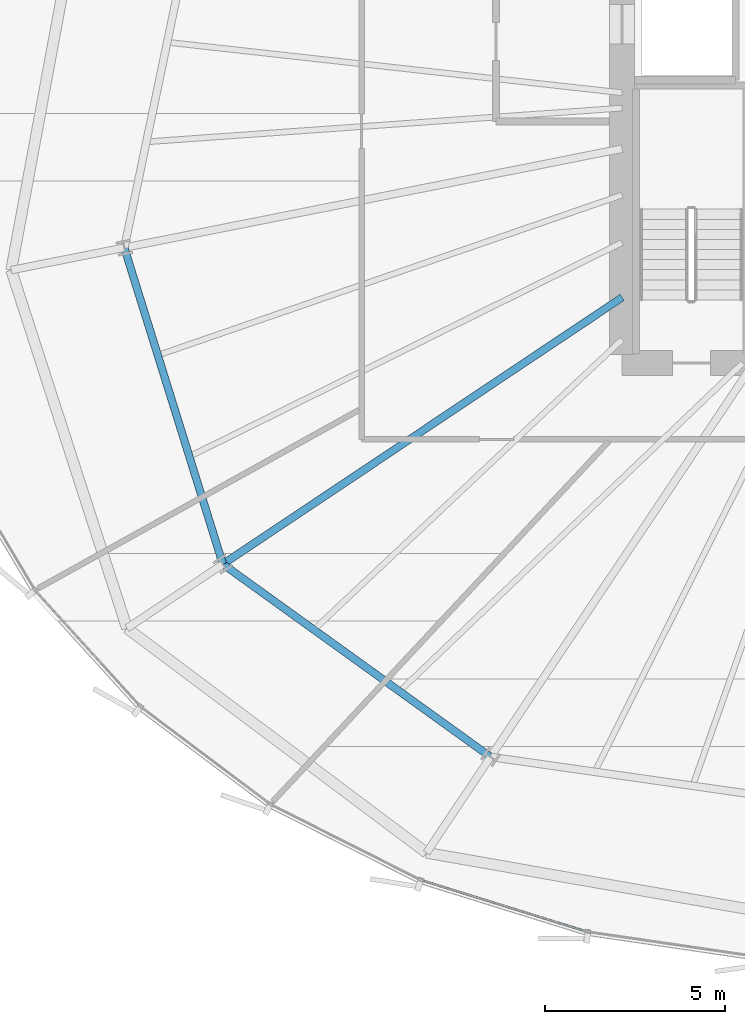
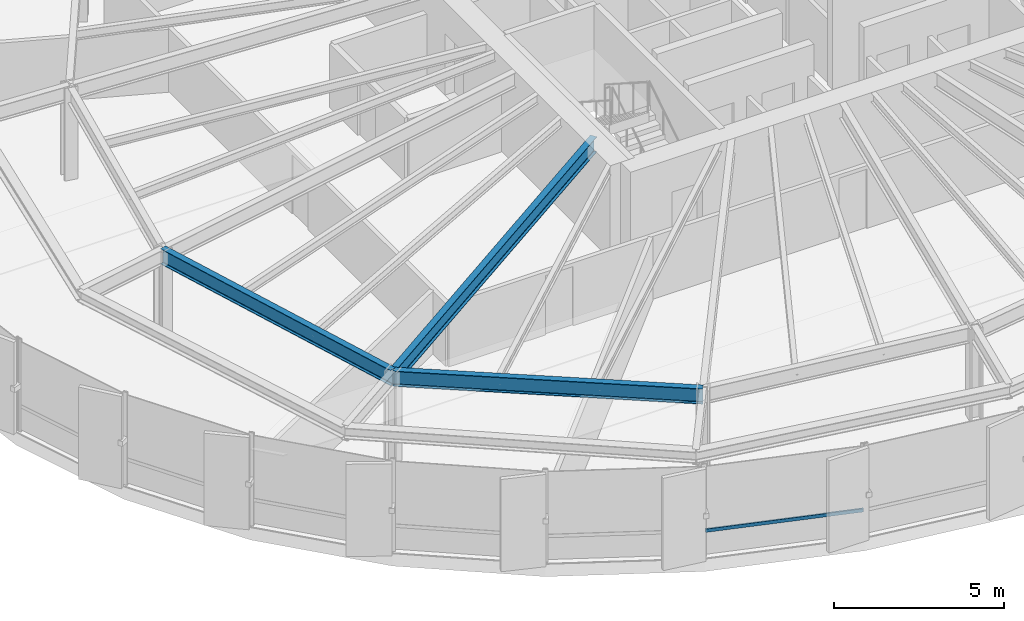
# One storey, part 4 of 35: 3 beams, 1 member, 1 element without a shape of its own.
"""IFC4 building model written with IfcOpenShell, lengths in metres."""

from ifc_helpers import new_model, si_unit, direction, frame, origin, origin_2d, place, context, subcontext, project, spatial, hollow_rectangle, i_section, extrude, source, transform, mapped, material, layer, layer_set, material_profile, profile_set, type_object, element, aggregate, save


model = new_model("IFC4")

# Units and contexts
model_context = context("Model", 3, precision=1e-05, world=origin(), true_north=direction((0.0, 1.0)))
body_context = subcontext(model_context, "Body", "Model", "MODEL_VIEW")
ifc_project = project(units=[si_unit("LENGTHUNIT", "METRE"), si_unit("AREAUNIT", "SQUARE_METRE"), si_unit("VOLUMEUNIT", "CUBIC_METRE"), si_unit("PLANEANGLEUNIT", "RADIAN"), si_unit("MASSUNIT", "GRAM", prefix="KILO"), si_unit("THERMODYNAMICTEMPERATUREUNIT", "KELVIN")], contexts=[model_context])

# Site, building, storey
site_placement = place(None, origin())
site = spatial("IfcSite", under=ifc_project, at=site_placement, CompositionType="ELEMENT")
building_placement = place(site_placement, origin())
building = spatial("IfcBuilding", under=site, at=building_placement, Name="Kethvar Cultural Tower", CompositionType="ELEMENT")
storey_placement = place(building_placement, frame((0.0, 0.0, 85.60009765625)))
storey = spatial("IfcBuildingStorey", under=building, at=storey_placement, Name="L20", CompositionType="ELEMENT", Elevation=85.60009765625)

# Beams
ifc_material_1 = material(Name="Steel S355J2", Category="steel")
ifc_material_profile_1 = material_profile(ifc_material_1, i_section(OverallWidth=0.2099609375, OverallDepth=0.550048828125, WebThickness=0.010986328125, FlangeThickness=0.01708984375, FilletRadius=0.02392578125, at=origin_2d()), Name="Steel S355J2 — IPE550")
ifc_profile_set_1 = profile_set([ifc_material_profile_1], Name="Steel S355J2 — IPE550")
beam_type = type_object("IfcBeamType", Name="BM-IPE550", PredefinedType="BEAM", material=ifc_profile_set_1)
shared_shape_1 = source(origin(), body_context, "Body", "SweptSolid", [
    extrude(i_section(OverallWidth=0.2099609375, OverallDepth=0.550048828125, WebThickness=0.010986328125, FlangeThickness=0.01708984375, FilletRadius=0.02392578125, at=origin_2d()), origin(), (0.0, 0.0, 1.0), 13.324951171875),
])
beam_1_placement = place(storey_placement, frame((38.0, 21.919921875, 3.072998046875), z_axis=(-0.831474815475, -0.555562445843, 0.0), x_axis=(0.555562445843, -0.831474815475, 0.0)))
element("IfcBeam", 1, at=beam_1_placement, inside=storey, type_object=beam_type, Name="L20 Primary Radial Beam RB-10", PredefinedType="BEAM", context=body_context, shape_type="MappedRepresentation", body=[
    mapped(shared_shape_1, transform((0.0, 0.0, 0.0), scale=1.0)),
])
shared_shape_2 = source(origin(), body_context, "Body", "SweptSolid", [
    extrude(i_section(OverallWidth=0.2099609375, OverallDepth=0.550048828125, WebThickness=0.010986328125, FlangeThickness=0.01708984375, FilletRadius=0.02392578125, at=origin_2d()), origin(), (0.0, 0.0, 1.0), 9.20068359375),
])
beam_2_placement = place(storey_placement, frame((24.185302734375, 23.3017578125, 3.072998046875), z_axis=(0.297298800285, -0.954784490526, 0.0), x_axis=(0.954784490526, 0.297298800285, 0.0)))
element("IfcBeam", 2, at=beam_2_placement, inside=storey, type_object=beam_type, Name="L20 Column Ring Tie Beam CR-09", PredefinedType="BEAM", context=body_context, shape_type="MappedRepresentation", body=[
    mapped(shared_shape_2, transform((0.0, 0.0, 0.0), scale=1.0)),
])
shared_shape_3 = source(origin(), body_context, "Body", "SweptSolid", [
    extrude(i_section(OverallWidth=0.2099609375, OverallDepth=0.550048828125, WebThickness=0.010986328125, FlangeThickness=0.01708984375, FilletRadius=0.02392578125, at=origin_2d()), origin(), (0.0, 0.0, 1.0), 9.155029296875),
])
beam_3_placement = place(storey_placement, frame((26.920654296875, 14.51708984375, 3.072998046875), z_axis=(0.811590987974, -0.584226042076, 0.0), x_axis=(0.584226042076, 0.811590987974, 0.0)))
element("IfcBeam", 3, at=beam_3_placement, inside=storey, type_object=beam_type, Name="L20 Column Ring Tie Beam CR-10", PredefinedType="BEAM", context=body_context, shape_type="MappedRepresentation", body=[
    mapped(shared_shape_3, transform((0.0, 0.0, 0.0), scale=1.0)),
])

# Curtain wall, member
ifc_material_2 = material(Name="Aluminium 6063-T6", Category="aluminium")
ifc_layer = layer(ifc_material_2, 0.179931640625, Name="Aluminium 6063-T6", Category="aluminium")
ifc_layer_set = layer_set([ifc_layer], Name="Aluminium 6063-T6 (180 mm)")
curtain_wall_type = type_object("IfcCurtainWallType", Name="CW-SYS-03-Z2", PredefinedType="NOTDEFINED", material=ifc_layer_set)
curtain_wall_placement = place(storey_placement, origin())
curtain_wall = element("IfcCurtainWall", 4, at=curtain_wall_placement, inside=storey, type_object=curtain_wall_type, Name="L20 Curtain Wall Run 04", PredefinedType="NOTDEFINED")
ifc_material_profile_2 = material_profile(ifc_material_2, hollow_rectangle(XDim=0.054931640625, YDim=0.1201171875, WallThickness=0.00390625, at=origin_2d()), Name="Aluminium 6063-T6 — RHS120x55x4")
ifc_profile_set_2 = profile_set([ifc_material_profile_2], Name="Aluminium 6063-T6 — RHS120x55x4")
member_type = type_object("IfcMemberType", Name="CW-SYS-03-Z2-TRN", PredefinedType="USERDEFINED", material=ifc_profile_set_2)
shared_shape_4 = source(origin(), body_context, "Body", "SweptSolid", [
    extrude(hollow_rectangle(XDim=0.054931640625, YDim=0.1201171875, WallThickness=0.00390625, at=origin_2d()), origin(), (0.0, 0.0, 1.0), 4.757568359375),
])
member_placement = place(storey_placement, frame((32.44921875, 5.73974609375, 0.949951171875), z_axis=(0.954984457308, -0.296655838135, 0.0), x_axis=(0.296655838135, 0.954984457308, 0.0)))
member = element("IfcMember", 5, at=member_placement, type_object=member_type, Name="CW-L20-R04 Transom 6", ObjectType="TRANSOM", PredefinedType="USERDEFINED", context=body_context, shape_type="MappedRepresentation", body=[
    mapped(shared_shape_4, transform((0.0, 0.0, 0.0), scale=1.0)),
])
aggregate(curtain_wall, [member])

save(model, "model.ifc")
